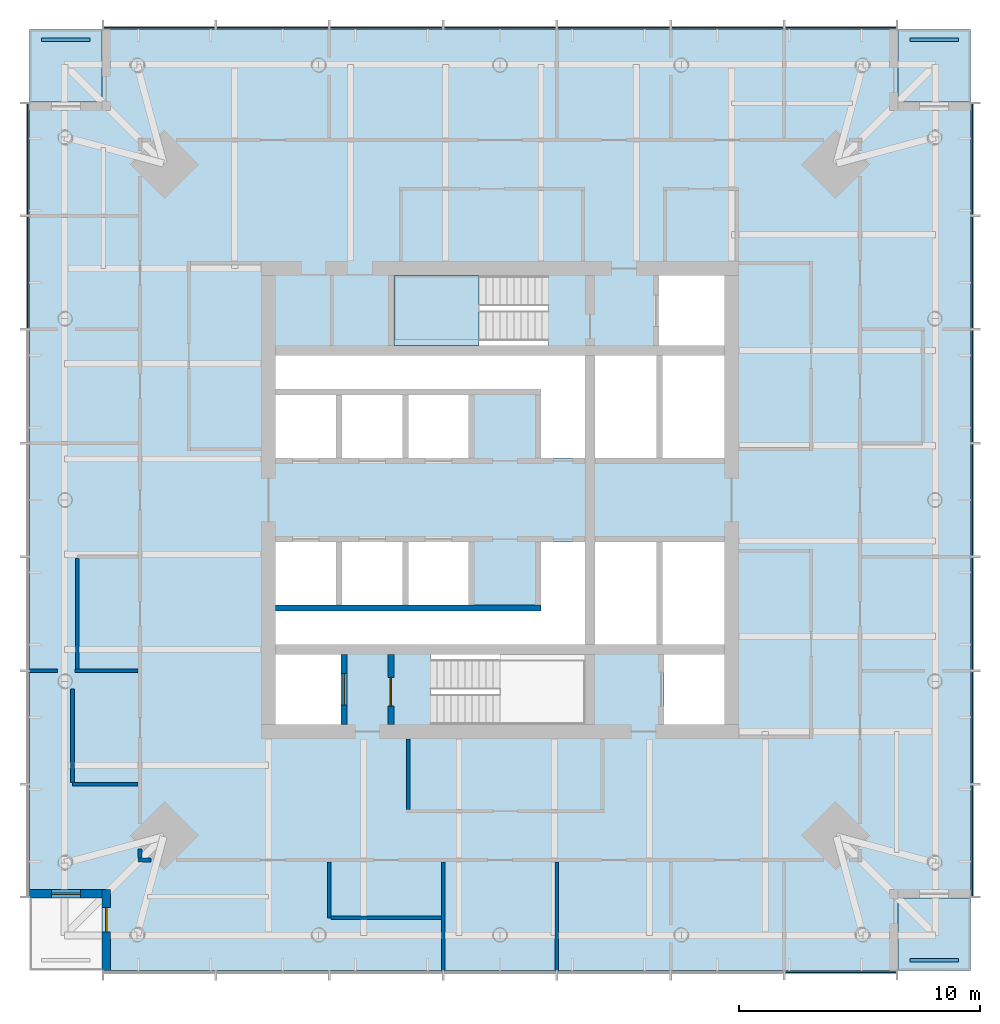
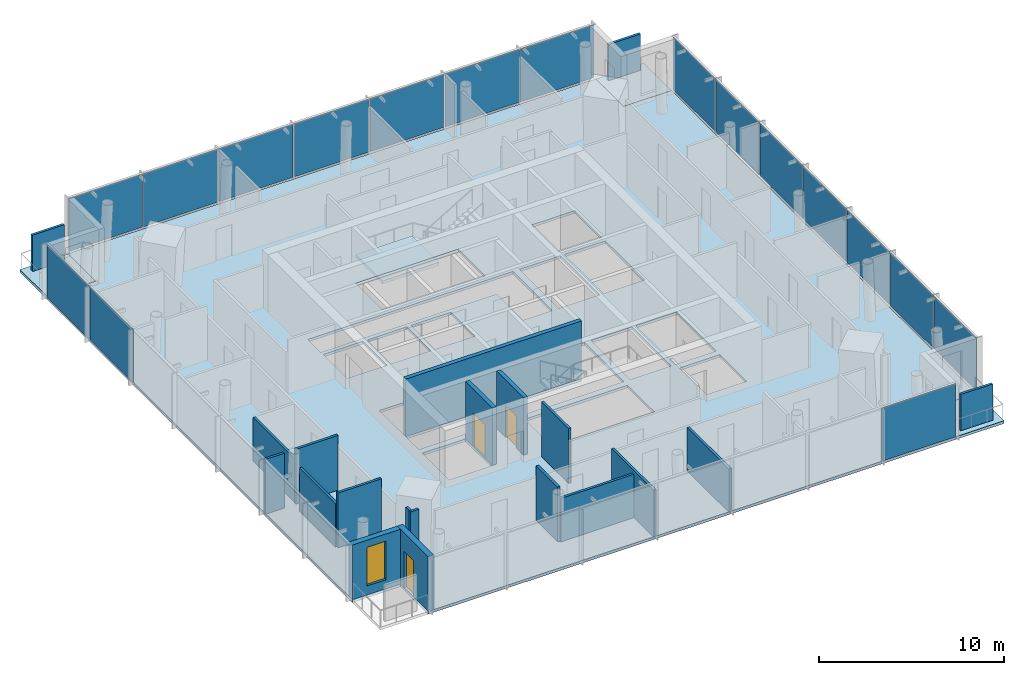
# One storey, part 4 of 9: 20 plates, 17 walls, 5 slabs, 3 doors, 1 window, 4 openings, 5 elements without a shape of their own.
"""IFC4 building model written with IfcOpenShell, lengths in metres."""

from ifc_helpers import new_model, si_unit, direction, frame, frame_2d, origin, origin_2d, place, context, subcontext, project, spatial, polyline, rectangle, outline, extrude, material, layer, layer_set, type_object, element, fill, aggregate, save


model = new_model("IFC4")

# Units and contexts
model_context = context("Model", 3, precision=1e-05, world=origin(), true_north=direction((0.0, 1.0)))
body_context = subcontext(model_context, "Body", "Model", "MODEL_VIEW")
ifc_project = project(units=[si_unit("LENGTHUNIT", "METRE"), si_unit("AREAUNIT", "SQUARE_METRE"), si_unit("VOLUMEUNIT", "CUBIC_METRE"), si_unit("PLANEANGLEUNIT", "RADIAN"), si_unit("MASSUNIT", "GRAM", prefix="KILO")], contexts=[model_context])

# Site, building, storey
site_placement = place(None, origin())
site = spatial("IfcSite", under=ifc_project, at=site_placement, CompositionType="ELEMENT")
building_placement = place(site_placement, origin())
building = spatial("IfcBuilding", under=site, at=building_placement, Name="Ostroluk Exchange", CompositionType="ELEMENT")
storey_placement = place(building_placement, frame((0.0, 0.0, 207.199951171875)))
storey = spatial("IfcBuildingStorey", under=building, at=storey_placement, Name="L53", CompositionType="ELEMENT", Elevation=207.199951171875)

# Slabs
ifc_material_1 = material(Name="Concrete C35/45", Category="concrete")
ifc_layer_1 = layer(ifc_material_1, 0.179931640625)
ifc_layer_set_1 = layer_set([ifc_layer_1], Name="Balcony slab 180")
slab_type_1 = type_object("IfcSlabType", Name="Balcony slab 180", PredefinedType="USERDEFINED", material=ifc_layer_set_1)
slab_1_placement = place(storey_placement, frame((0.0, 0.0, -0.179931640625)))
element("IfcSlab", 1, at=slab_1_placement, inside=storey, type_object=slab_type_1, Name="Office tower SE corner balcony L53", ObjectType="BALCONY", PredefinedType="USERDEFINED", context=body_context, shape_type="SweptSolid", body=[
    extrude(outline(polyline([(61.5, 26.5), (64.5, 26.5), (64.5, 29.5), (61.5, 29.5), (61.5, 26.5)])), origin(), (0.0, 0.0, 1.0), 0.179931640625),
])
slab_2_placement = place(storey_placement, frame((0.0, 0.0, -0.179931640625)))
element("IfcSlab", 2, at=slab_2_placement, inside=storey, type_object=slab_type_1, Name="Office tower NE corner balcony L53", ObjectType="BALCONY", PredefinedType="USERDEFINED", context=body_context, shape_type="SweptSolid", body=[
    extrude(outline(polyline([(61.5, 62.5), (64.5, 62.5), (64.5, 65.5), (61.5, 65.5), (61.5, 62.5)])), origin(), (0.0, 0.0, 1.0), 0.179931640625),
])
slab_3_placement = place(storey_placement, frame((0.0, 0.0, -0.179931640625)))
element("IfcSlab", 3, at=slab_3_placement, inside=storey, type_object=slab_type_1, Name="Office tower NW corner balcony L53", ObjectType="BALCONY", PredefinedType="USERDEFINED", context=body_context, shape_type="SweptSolid", body=[
    extrude(outline(polyline([(25.5, 62.5), (28.5, 62.5), (28.5, 65.5), (25.5, 65.5), (25.5, 62.5)])), origin(), (0.0, 0.0, 1.0), 0.179931640625),
])

# Plates
ifc_material_2 = material(Name="Steel S355 trellis with planting", Category="steel")
ifc_layer_2 = layer(ifc_material_2, 0.14990234375)
ifc_layer_set_2 = layer_set([ifc_layer_2], Name="Planted screen 150")
plate_type_1 = type_object("IfcPlateType", Name="Planted screen 150", PredefinedType="USERDEFINED", material=ifc_layer_set_2)
for number, where, z_axis, x_axis, name in (
    (4, (63.0, 26.925048828125, 0.0), (0.0, 0.0, 1.0), (1.0, 0.0, 0.0), "Office tower SE planted screen L53"),
    (5, (63.0, 65.074951171875, 0.0), (0.0, 0.0, 1.0), (1.0, 0.0, 0.0), "Office tower NE planted screen L53"),
    (6, (27.0, 65.074951171875, 0.0), (0.0, 0.0, 1.0), (1.0, 0.0, 0.0), "Office tower NW planted screen L53"),
):
    element("IfcPlate", number, at=place(storey_placement, frame(where, z_axis=z_axis, x_axis=x_axis)), inside=storey, type_object=plate_type_1, Name=name, ObjectType="PLANTED SCREEN", PredefinedType="USERDEFINED", context=body_context, shape_type="SweptSolid", body=[
        extrude(rectangle(XDim=2.0, YDim=0.14990234375, at=origin_2d()), origin(), (0.0, 0.0, 1.0), 2.39990234375),
    ])

# Stair, slab
ifc_material_3 = material(Name="Concrete C30/37", Category="concrete")
stair_type = type_object("IfcStairType", Name="Exit stair half turn 3800", PredefinedType="HALF_TURN_STAIR", material=ifc_material_3)
stair_placement = place(storey_placement, origin())
stair = element("IfcStair", 7, at=stair_placement, inside=storey, type_object=stair_type, Name="Stair T1-S2 L53", PredefinedType="HALF_TURN_STAIR")
ifc_material_4 = material(Name="Concrete C30/37", Category="concrete")
ifc_layer_3 = layer(ifc_material_4, 0.199951171875)
ifc_layer_set_3 = layer_set([ifc_layer_3], Name="Stair landing 200")
slab_type_2 = type_object("IfcSlabType", Name="Stair landing 200", PredefinedType="LANDING", material=ifc_layer_set_3)
slab_4_placement = place(storey_placement, frame((0.0, 0.0, 1.699951171875)))
slab_4 = element("IfcSlab", 8, at=slab_4_placement, type_object=slab_type_2, Name="T1-S2 landing 1", PredefinedType="LANDING", context=body_context, shape_type="SweptSolid", body=[
    extrude(outline(polyline([(44.1298828125, 52.39990234375), (44.1298828125, 55.300048828125), (40.60009765625, 55.300048828125), (40.60009765625, 52.39990234375), (44.1298828125, 52.39990234375)])), origin(), (0.0, 0.0, 1.0), 0.2001953125),
])
aggregate(stair, [slab_4])

# Slab
ifc_material_5 = material(Name="Concrete C35/45", Category="concrete")
ifc_layer_4 = layer(ifc_material_5, 0.179931640625)
ifc_layer_set_4 = layer_set([ifc_layer_4], Name="Tower floor slab 180 composite")
slab_type_3 = type_object("IfcSlabType", Name="Tower floor slab 180 composite", PredefinedType="FLOOR", material=ifc_layer_set_4)
slab_5_placement = place(storey_placement, frame((0.0, 0.0, -0.179931640625)))
element("IfcSlab", 9, at=slab_5_placement, inside=storey, type_object=slab_type_3, Name="Office tower floor slab L53", PredefinedType="FLOOR", context=body_context, shape_type="SweptSolid", body=[
    extrude(outline(polyline([(28.5, 26.5), (61.5, 26.5), (61.5, 29.5), (64.5, 29.5), (64.5, 62.5), (61.5, 62.5), (61.5, 65.5), (28.5, 65.5), (28.5, 62.5), (25.5, 62.5), (25.5, 29.5), (28.5, 29.5), (28.5, 26.5)]), holes=[polyline([(35.699951171875, 36.699951171875), (38.39990234375, 36.699951171875), (38.39990234375, 39.60009765625), (35.699951171875, 39.60009765625), (35.699951171875, 36.699951171875)]), polyline([(42.110107421875, 36.699951171875), (48.530029296875, 36.699951171875), (48.530029296875, 39.60009765625), (42.110107421875, 39.60009765625), (42.110107421875, 36.699951171875)]), polyline([(51.800048828125, 36.699951171875), (54.300048828125, 36.699951171875), (54.300048828125, 39.60009765625), (51.800048828125, 39.60009765625), (51.800048828125, 36.699951171875)]), polyline([(40.60009765625, 52.39990234375), (47.02001953125, 52.39990234375), (47.02001953125, 55.300048828125), (40.60009765625, 55.300048828125), (40.60009765625, 52.39990234375)]), polyline([(51.60009765625, 52.39990234375), (54.300048828125, 52.39990234375), (54.300048828125, 55.300048828125), (51.60009765625, 55.300048828125), (51.60009765625, 52.39990234375)]), polyline([(35.699951171875, 47.75), (38.199951171875, 47.75), (38.199951171875, 50.35009765625), (35.699951171875, 50.35009765625), (35.699951171875, 47.75)]), polyline([(38.449951171875, 47.75), (40.949951171875, 47.75), (40.949951171875, 50.35009765625), (38.449951171875, 50.35009765625), (38.449951171875, 47.75)]), polyline([(41.199951171875, 47.75), (43.699951171875, 47.75), (43.699951171875, 50.35009765625), (41.199951171875, 50.35009765625), (41.199951171875, 47.75)]), polyline([(35.699951171875, 41.64990234375), (38.199951171875, 41.64990234375), (38.199951171875, 44.25), (35.699951171875, 44.25), (35.699951171875, 41.64990234375)]), polyline([(38.449951171875, 41.64990234375), (40.949951171875, 41.64990234375), (40.949951171875, 44.25), (38.449951171875, 44.25), (38.449951171875, 41.64990234375)]), polyline([(41.199951171875, 41.64990234375), (43.699951171875, 41.64990234375), (43.699951171875, 44.25), (41.199951171875, 44.25), (41.199951171875, 41.64990234375)]), polyline([(48.929931640625, 47.75), (51.489990234375, 47.75), (51.489990234375, 52.0), (48.929931640625, 52.0), (48.929931640625, 47.75)]), polyline([(51.739990234375, 47.75), (54.300048828125, 47.75), (54.300048828125, 52.0), (51.739990234375, 52.0), (51.739990234375, 47.75)]), polyline([(48.929931640625, 40.0), (51.489990234375, 40.0), (51.489990234375, 44.25), (48.929931640625, 44.25), (48.929931640625, 40.0)]), polyline([(51.739990234375, 40.0), (54.300048828125, 40.0), (54.300048828125, 44.25), (51.739990234375, 44.25), (51.739990234375, 40.0)]), polyline([(48.530029296875, 52.0), (48.530029296875, 47.75), (46.699951171875, 47.75), (46.699951171875, 50.60009765625), (35.699951171875, 50.60009765625), (35.699951171875, 52.0), (48.530029296875, 52.0)]), polyline([(35.699951171875, 40.0), (35.699951171875, 41.39990234375), (46.699951171875, 41.39990234375), (46.699951171875, 44.25), (48.530029296875, 44.25), (48.530029296875, 40.0), (35.699951171875, 40.0)])]), origin(), (0.0, 0.0, 1.0), 0.179931640625),
])

# Curtain wall, plate
ifc_material_6 = material(Name="Laminated clear glass", Category="glass")
curtain_wall_type = type_object("IfcCurtainWallType", Name="Office tower facade", PredefinedType="USERDEFINED", material=ifc_material_6)
curtain_wall_1_placement = place(storey_placement, origin())
curtain_wall_1 = element("IfcCurtainWall", 10, at=curtain_wall_1_placement, inside=storey, type_object=curtain_wall_type, Name="Office tower south facade L53", ObjectType="UNITISED CURTAIN WALL", PredefinedType="USERDEFINED")
ifc_material_7 = material(Name="Laminated clear glass", Category="glass")
ifc_layer_5 = layer(ifc_material_7, 0.0439453125)
ifc_layer_set_5 = layer_set([ifc_layer_5], Name="Triple laminated clear glazing 44")
plate_type_2 = type_object("IfcPlateType", Name="Triple laminated clear glazing 44", PredefinedType="CURTAIN_PANEL", material=ifc_layer_set_5)
plate_1_placement = place(storey_placement, frame((59.122802734375, 26.425048828125, 0.080078125), z_axis=(0.0, 0.0, 1.0), x_axis=(1.0, 0.0, 0.0)))
plate_1 = element("IfcPlate", 11, at=plate_1_placement, type_object=plate_type_2, Name="CW-O1 panel 7.1", PredefinedType="CURTAIN_PANEL", context=body_context, shape_type="SweptSolid", body=[
    extrude(rectangle(XDim=4.59423828125, YDim=0.0439453125, at=origin_2d()), origin(), (0.0, 0.0, 1.0), 3.489990234375),
])
aggregate(curtain_wall_1, [plate_1])

# Curtain wall, plates
curtain_wall_2_placement = place(storey_placement, origin())
curtain_wall_2 = element("IfcCurtainWall", 12, at=curtain_wall_2_placement, inside=storey, type_object=curtain_wall_type, Name="Office tower east facade L53", ObjectType="UNITISED CURTAIN WALL", PredefinedType="USERDEFINED")
plate_2_placement = place(storey_placement, frame((64.574951171875, 31.877197265625, 0.080078125), z_axis=(0.0, 0.0, 1.0), x_axis=(0.0, 1.0, 0.0)))
plate_2 = element("IfcPlate", 13, at=plate_2_placement, type_object=plate_type_2, Name="CW-O1 panel 1.1", PredefinedType="CURTAIN_PANEL", context=body_context, shape_type="SweptSolid", body=[
    extrude(rectangle(XDim=4.59423828125, YDim=0.0439453125, at=origin_2d()), origin(), (0.0, 0.0, 1.0), 3.489990234375),
])
plate_3_placement = place(storey_placement, frame((64.574951171875, 36.571533203125, 0.080078125), z_axis=(0.0, 0.0, 1.0), x_axis=(0.0, 1.0, 0.0)))
plate_3 = element("IfcPlate", 14, at=plate_3_placement, type_object=plate_type_2, Name="CW-O1 panel 2.1", PredefinedType="CURTAIN_PANEL", context=body_context, shape_type="SweptSolid", body=[
    extrude(rectangle(XDim=4.63427734375, YDim=0.0439453125, at=origin_2d()), origin(), (0.0, 0.0, 1.0), 3.489990234375),
])
plate_4_placement = place(storey_placement, frame((64.574951171875, 41.28564453125, 0.080078125), z_axis=(0.0, 0.0, 1.0), x_axis=(0.0, 1.0, 0.0)))
plate_4 = element("IfcPlate", 15, at=plate_4_placement, type_object=plate_type_2, Name="CW-O1 panel 3.1", PredefinedType="CURTAIN_PANEL", context=body_context, shape_type="SweptSolid", body=[
    extrude(rectangle(XDim=4.63427734375, YDim=0.0439453125, at=origin_2d()), origin(), (0.0, 0.0, 1.0), 3.489990234375),
])
plate_5_placement = place(storey_placement, frame((64.574951171875, 46.0, 0.080078125), z_axis=(0.0, 0.0, 1.0), x_axis=(0.0, 1.0, 0.0)))
plate_5 = element("IfcPlate", 16, at=plate_5_placement, type_object=plate_type_2, Name="CW-O1 panel 4.1", PredefinedType="CURTAIN_PANEL", context=body_context, shape_type="SweptSolid", body=[
    extrude(rectangle(XDim=4.63427734375, YDim=0.0439453125, at=origin_2d()), origin(), (0.0, 0.0, 1.0), 3.489990234375),
])
plate_6_placement = place(storey_placement, frame((64.574951171875, 50.71435546875, 0.080078125), z_axis=(0.0, 0.0, 1.0), x_axis=(0.0, 1.0, 0.0)))
plate_6 = element("IfcPlate", 17, at=plate_6_placement, type_object=plate_type_2, Name="CW-O1 panel 5.1", PredefinedType="CURTAIN_PANEL", context=body_context, shape_type="SweptSolid", body=[
    extrude(rectangle(XDim=4.63427734375, YDim=0.0439453125, at=origin_2d()), origin(), (0.0, 0.0, 1.0), 3.489990234375),
])
plate_7_placement = place(storey_placement, frame((64.574951171875, 55.428466796875, 0.080078125), z_axis=(0.0, 0.0, 1.0), x_axis=(0.0, 1.0, 0.0)))
plate_7 = element("IfcPlate", 18, at=plate_7_placement, type_object=plate_type_2, Name="CW-O1 panel 6.1", PredefinedType="CURTAIN_PANEL", context=body_context, shape_type="SweptSolid", body=[
    extrude(rectangle(XDim=4.63427734375, YDim=0.0439453125, at=origin_2d()), origin(), (0.0, 0.0, 1.0), 3.489990234375),
])
plate_8_placement = place(storey_placement, frame((64.574951171875, 60.122802734375, 0.080078125), z_axis=(0.0, 0.0, 1.0), x_axis=(0.0, 1.0, 0.0)))
plate_8 = element("IfcPlate", 19, at=plate_8_placement, type_object=plate_type_2, Name="CW-O1 panel 7.1", PredefinedType="CURTAIN_PANEL", context=body_context, shape_type="SweptSolid", body=[
    extrude(rectangle(XDim=4.59423828125, YDim=0.0439453125, at=origin_2d()), origin(), (0.0, 0.0, 1.0), 3.489990234375),
])
aggregate(curtain_wall_2, [plate_2, plate_3, plate_4, plate_5, plate_6, plate_7, plate_8])

curtain_wall_3_placement = place(storey_placement, origin())
curtain_wall_3 = element("IfcCurtainWall", 20, at=curtain_wall_3_placement, inside=storey, type_object=curtain_wall_type, Name="Office tower north facade L53", ObjectType="UNITISED CURTAIN WALL", PredefinedType="USERDEFINED")
plate_9_placement = place(storey_placement, frame((59.122802734375, 65.574951171875, 0.080078125), z_axis=(0.0, 0.0, 1.0), x_axis=(-1.0, 0.0, 0.0)))
plate_9 = element("IfcPlate", 21, at=plate_9_placement, type_object=plate_type_2, Name="CW-O1 panel 1.1", PredefinedType="CURTAIN_PANEL", context=body_context, shape_type="SweptSolid", body=[
    extrude(rectangle(XDim=4.59423828125, YDim=0.0439453125, at=origin_2d()), origin(), (0.0, 0.0, 1.0), 3.489990234375),
])
plate_10_placement = place(storey_placement, frame((54.428466796875, 65.574951171875, 0.080078125), z_axis=(0.0, 0.0, 1.0), x_axis=(-1.0, 0.0, 0.0)))
plate_10 = element("IfcPlate", 22, at=plate_10_placement, type_object=plate_type_2, Name="CW-O1 panel 2.1", PredefinedType="CURTAIN_PANEL", context=body_context, shape_type="SweptSolid", body=[
    extrude(rectangle(XDim=4.63427734375, YDim=0.0439453125, at=origin_2d()), origin(), (0.0, 0.0, 1.0), 3.489990234375),
])
plate_11_placement = place(storey_placement, frame((49.71435546875, 65.574951171875, 0.080078125), z_axis=(0.0, 0.0, 1.0), x_axis=(-1.0, 0.0, 0.0)))
plate_11 = element("IfcPlate", 23, at=plate_11_placement, type_object=plate_type_2, Name="CW-O1 panel 3.1", PredefinedType="CURTAIN_PANEL", context=body_context, shape_type="SweptSolid", body=[
    extrude(rectangle(XDim=4.63427734375, YDim=0.0439453125, at=origin_2d()), origin(), (0.0, 0.0, 1.0), 3.489990234375),
])
plate_12_placement = place(storey_placement, frame((45.0, 65.574951171875, 0.080078125), z_axis=(0.0, 0.0, 1.0), x_axis=(-1.0, 0.0, 0.0)))
plate_12 = element("IfcPlate", 24, at=plate_12_placement, type_object=plate_type_2, Name="CW-O1 panel 4.1", PredefinedType="CURTAIN_PANEL", context=body_context, shape_type="SweptSolid", body=[
    extrude(rectangle(XDim=4.63427734375, YDim=0.0439453125, at=origin_2d()), origin(), (0.0, 0.0, 1.0), 3.489990234375),
])
plate_13_placement = place(storey_placement, frame((40.28564453125, 65.574951171875, 0.080078125), z_axis=(0.0, 0.0, 1.0), x_axis=(-1.0, 0.0, 0.0)))
plate_13 = element("IfcPlate", 25, at=plate_13_placement, type_object=plate_type_2, Name="CW-O1 panel 5.1", PredefinedType="CURTAIN_PANEL", context=body_context, shape_type="SweptSolid", body=[
    extrude(rectangle(XDim=4.63427734375, YDim=0.0439453125, at=origin_2d()), origin(), (0.0, 0.0, 1.0), 3.489990234375),
])
plate_14_placement = place(storey_placement, frame((35.571533203125, 65.574951171875, 0.080078125), z_axis=(0.0, 0.0, 1.0), x_axis=(-1.0, 0.0, 0.0)))
plate_14 = element("IfcPlate", 26, at=plate_14_placement, type_object=plate_type_2, Name="CW-O1 panel 6.1", PredefinedType="CURTAIN_PANEL", context=body_context, shape_type="SweptSolid", body=[
    extrude(rectangle(XDim=4.63427734375, YDim=0.0439453125, at=origin_2d()), origin(), (0.0, 0.0, 1.0), 3.489990234375),
])
plate_15_placement = place(storey_placement, frame((30.877197265625, 65.574951171875, 0.080078125), z_axis=(0.0, 0.0, 1.0), x_axis=(-1.0, 0.0, 0.0)))
plate_15 = element("IfcPlate", 27, at=plate_15_placement, type_object=plate_type_2, Name="CW-O1 panel 7.1", PredefinedType="CURTAIN_PANEL", context=body_context, shape_type="SweptSolid", body=[
    extrude(rectangle(XDim=4.59423828125, YDim=0.0439453125, at=origin_2d()), origin(), (0.0, 0.0, 1.0), 3.489990234375),
])
aggregate(curtain_wall_3, [plate_9, plate_10, plate_11, plate_12, plate_13, plate_14, plate_15])

curtain_wall_4_placement = place(storey_placement, origin())
curtain_wall_4 = element("IfcCurtainWall", 28, at=curtain_wall_4_placement, inside=storey, type_object=curtain_wall_type, Name="Office tower west facade L53", ObjectType="UNITISED CURTAIN WALL", PredefinedType="USERDEFINED")
plate_16_placement = place(storey_placement, frame((25.425048828125, 60.122802734375, 0.080078125), z_axis=(0.0, 0.0, 1.0), x_axis=(0.0, -1.0, 0.0)))
plate_16 = element("IfcPlate", 29, at=plate_16_placement, type_object=plate_type_2, Name="CW-O1 panel 1.1", PredefinedType="CURTAIN_PANEL", context=body_context, shape_type="SweptSolid", body=[
    extrude(rectangle(XDim=4.59423828125, YDim=0.0439453125, at=origin_2d()), origin(), (0.0, 0.0, 1.0), 3.489990234375),
])
plate_17_placement = place(storey_placement, frame((25.425048828125, 55.428466796875, 0.080078125), z_axis=(0.0, 0.0, 1.0), x_axis=(0.0, -1.0, 0.0)))
plate_17 = element("IfcPlate", 30, at=plate_17_placement, type_object=plate_type_2, Name="CW-O1 panel 2.1", PredefinedType="CURTAIN_PANEL", context=body_context, shape_type="SweptSolid", body=[
    extrude(rectangle(XDim=4.63427734375, YDim=0.0439453125, at=origin_2d()), origin(), (0.0, 0.0, 1.0), 3.489990234375),
])
aggregate(curtain_wall_4, [plate_16, plate_17])

# Wall, opening, door
ifc_material_8 = material(Name="Concrete C40/50", Category="concrete")
ifc_layer_6 = layer(ifc_material_8, 0.25)
ifc_layer_set_6 = layer_set([ifc_layer_6], Name="Core shaft wall 250")
wall_type_1 = type_object("IfcWallType", Name="Core shaft wall 250", PredefinedType="SHEAR", material=ifc_layer_set_6)
wall_1_placement = place(storey_placement, frame((38.52490234375, 36.699951171875, 0.0), z_axis=(0.0, 0.0, 1.0), x_axis=(0.0, 1.0, 0.0)))
wall_1 = element("IfcWall", 31, at=wall_1_placement, inside=storey, type_object=wall_type_1, Name="Firefighting lift shaft wall", PredefinedType="SHEAR", context=body_context, shape_type="SweptSolid", body=[
    extrude(rectangle(XDim=2.900146484375, YDim=0.25, at=frame_2d((1.4501953125, 0.0))), origin(), (0.0, 0.0, 1.0), 3.800048828125),
])
opening_1_placement = place(wall_1_placement, frame((0.800048828125, 0.0, 0.0)))
opening_1 = element("IfcOpeningElement", 32, at=opening_1_placement, cuts=wall_1, Name="Opening LD2", PredefinedType="OPENING", context=body_context, shape_type="SweptSolid", body=[
    extrude(rectangle(XDim=1.300048828125, YDim=2.199951171875, at=frame_2d((0.64990234375, 1.10009765625))), frame((0.0, 0.135009765625, 0.0), z_axis=(0.0, -1.0, 0.0), x_axis=(1.0, 0.0, 0.0)), (0.0, 0.0, 1.0), 0.27001953125),
])
ifc_material_9 = material(Name="Stainless steel", Category="steel")
door_type_1 = type_object("IfcDoorType", Name="Lift landing door E 60 1300 x 2200", OperationType="DOUBLE_DOOR_SLIDING", PredefinedType="DOOR", material=ifc_material_9)
door_1_placement = place(opening_1_placement, origin())
door_1 = element("IfcDoor", 33, at=door_1_placement, inside=storey, type_object=door_type_1, Name="Lift FL1 landing door", OperationType="DOUBLE_DOOR_SLIDING", OverallHeight=2.199951171875, OverallWidth=1.300048828125, PredefinedType="DOOR", context=body_context, shape_type="SweptSolid", body=[
    extrude(rectangle(XDim=1.300048828125, YDim=2.199951171875, at=frame_2d((0.64990234375, 1.10009765625))), frame((0.0, 0.02490234375, 0.0), z_axis=(0.0, -1.0, 0.0), x_axis=(1.0, 0.0, 0.0)), (0.0, 0.0, 1.0), 0.050048828125),
])
fill(opening_1, door_1)

wall_2_placement = place(storey_placement, frame((40.47509765625, 36.699951171875, 0.0), z_axis=(0.0, 0.0, 1.0), x_axis=(0.0, 1.0, 0.0)))
wall_2 = element("IfcWall", 34, at=wall_2_placement, inside=storey, type_object=wall_type_1, Name="Stair shaft wall", PredefinedType="SHEAR", context=body_context, shape_type="SweptSolid", body=[
    extrude(rectangle(XDim=2.900146484375, YDim=0.25, at=frame_2d((1.4501953125, 0.0))), origin(), (0.0, 0.0, 1.0), 3.800048828125),
])
opening_2_placement = place(wall_2_placement, frame((0.75, 0.0, 0.0)))
opening_2 = element("IfcOpeningElement", 35, at=opening_2_placement, cuts=wall_2, Name="Opening FD60S", PredefinedType="OPENING", context=body_context, shape_type="SweptSolid", body=[
    extrude(rectangle(XDim=1.199951171875, YDim=2.10009765625, at=frame_2d((0.60009765625, 1.050048828125))), frame((0.0, 0.135009765625, 0.0), z_axis=(0.0, -1.0, 0.0), x_axis=(1.0, 0.0, 0.0)), (0.0, 0.0, 1.0), 0.27001953125),
])
ifc_material_10 = material(Name="Steel", Category="steel")
door_type_2 = type_object("IfcDoorType", Name="Stair door EI 60 1200 x 2100", OperationType="SINGLE_SWING_LEFT", PredefinedType="DOOR", material=ifc_material_10)
door_2_placement = place(opening_2_placement, origin())
door_2 = element("IfcDoor", 36, at=door_2_placement, inside=storey, type_object=door_type_2, Name="Stair T1-S1 door", OperationType="SINGLE_SWING_LEFT", OverallHeight=2.10009765625, OverallWidth=1.199951171875, PredefinedType="DOOR", context=body_context, shape_type="SweptSolid", body=[
    extrude(rectangle(XDim=1.199951171875, YDim=2.10009765625, at=frame_2d((0.60009765625, 1.050048828125))), frame((0.0, 0.02490234375, 0.0), z_axis=(0.0, -1.0, 0.0), x_axis=(1.0, 0.0, 0.0)), (0.0, 0.0, 1.0), 0.050048828125),
])
fill(opening_2, door_2)

# Wall
wall_3_placement = place(storey_placement, frame((35.699951171875, 41.52490234375, 0.0), z_axis=(0.0, 0.0, 1.0), x_axis=(1.0, 0.0, 0.0)))
element("IfcWall", 37, at=wall_3_placement, inside=storey, type_object=wall_type_1, Name="Lift shaft wall", PredefinedType="SHEAR", context=body_context, shape_type="SweptSolid", body=[
    extrude(rectangle(XDim=11.0, YDim=0.25, at=frame_2d((5.5, 0.0))), origin(), (0.0, 0.0, 1.0), 3.800048828125),
])

# Wall, opening, door
ifc_material_11 = material(Name="Limestone", Category="masonry")
ifc_layer_7 = layer(ifc_material_11, 0.35009765625)
ifc_layer_set_7 = layer_set([ifc_layer_7], Name="Limestone facade wall 350")
wall_type_2 = type_object("IfcWallType", Name="Limestone facade wall 350", PredefinedType="SOLIDWALL", material=ifc_layer_set_7)
wall_4_placement = place(storey_placement, frame((28.675048828125, 26.5, 0.0), z_axis=(0.0, 0.0, 1.0), x_axis=(0.0, 1.0, 0.0)))
wall_4 = element("IfcWall", 38, at=wall_4_placement, inside=storey, type_object=wall_type_2, Name="Office tower SW corner wall L53 a", PredefinedType="SOLIDWALL", context=body_context, shape_type="SweptSolid", body=[
    extrude(rectangle(XDim=3.35009765625, YDim=0.35009765625, at=frame_2d((1.675048828125, 0.0))), origin(), (0.0, 0.0, 1.0), 3.6201171875),
])
opening_3_placement = place(wall_4_placement, frame((1.60009765625, 0.0, 0.0)))
opening_3 = element("IfcOpeningElement", 39, at=opening_3_placement, cuts=wall_4, Name="Opening D-B1", PredefinedType="OPENING", context=body_context, shape_type="SweptSolid", body=[
    extrude(rectangle(XDim=1.0, YDim=2.39990234375, at=frame_2d((0.5, 1.199951171875))), frame((0.0, 0.18505859375, 0.0), z_axis=(0.0, -1.0, 0.0), x_axis=(1.0, 0.0, 0.0)), (0.0, 0.0, 1.0), 0.3701171875),
])
ifc_material_12 = material(Name="Bronze framed glazed door", Category="aluminium")
door_type_3 = type_object("IfcDoorType", Name="Balcony door 1000 x 2400", OperationType="SINGLE_SWING_LEFT", PredefinedType="DOOR", material=ifc_material_12)
door_3_placement = place(opening_3_placement, origin())
door_3 = element("IfcDoor", 40, at=door_3_placement, inside=storey, type_object=door_type_3, Name="Office tower SW balcony door L53", OperationType="SINGLE_SWING_RIGHT", OverallHeight=2.39990234375, OverallWidth=1.0, PredefinedType="DOOR", context=body_context, shape_type="SweptSolid", body=[
    extrude(rectangle(XDim=1.0, YDim=2.39990234375, at=frame_2d((0.5, 1.199951171875))), frame((0.0, 0.02490234375, 0.0), z_axis=(0.0, -1.0, 0.0), x_axis=(1.0, 0.0, 0.0)), (0.0, 0.0, 1.0), 0.050048828125),
])
fill(opening_3, door_3)

# Wall, opening, window
wall_5_placement = place(storey_placement, frame((28.5, 29.675048828125, 0.0), z_axis=(0.0, 0.0, 1.0), x_axis=(-1.0, 0.0, 0.0)))
wall_5 = element("IfcWall", 41, at=wall_5_placement, inside=storey, type_object=wall_type_2, Name="Office tower SW corner wall L53 b", PredefinedType="SOLIDWALL", context=body_context, shape_type="SweptSolid", body=[
    extrude(rectangle(XDim=3.0, YDim=0.35009765625, at=frame_2d((1.5, 0.0))), origin(), (0.0, 0.0, 1.0), 3.6201171875),
])
opening_4_placement = place(wall_5_placement, frame((0.89990234375, 0.0, 0.60009765625)))
opening_4 = element("IfcOpeningElement", 42, at=opening_4_placement, cuts=wall_5, Name="Opening WN-L1", PredefinedType="OPENING", context=body_context, shape_type="SweptSolid", body=[
    extrude(rectangle(XDim=1.199951171875, YDim=2.550048828125, at=frame_2d((0.60009765625, 1.27490234375))), frame((0.0, 0.18505859375, 0.0), z_axis=(0.0, -1.0, 0.0), x_axis=(1.0, 0.0, 0.0)), (0.0, 0.0, 1.0), 0.3701171875),
])
ifc_material_13 = material(Name="Laminated clear glass", Category="glass")
window_type = type_object("IfcWindowType", Name="Lancet window 1200 x 2550", PartitioningType="SINGLE_PANEL", PredefinedType="WINDOW", material=ifc_material_13)
window_placement = place(opening_4_placement, origin())
window = element("IfcWindow", 43, at=window_placement, inside=storey, type_object=window_type, Name="Office tower SW lancet window L53", OverallHeight=2.550048828125, OverallWidth=1.199951171875, PartitioningType="SINGLE_PANEL", PredefinedType="WINDOW", context=body_context, shape_type="SweptSolid", body=[
    extrude(rectangle(XDim=1.199951171875, YDim=2.550048828125, at=frame_2d((0.60009765625, 1.27490234375))), frame((0.0, 0.030029296875, 0.0), z_axis=(0.0, -1.0, 0.0), x_axis=(1.0, 0.0, 0.0)), (0.0, 0.0, 1.0), 0.06005859375),
])
fill(opening_4, window)

# Walls
ifc_material_14 = material(Name="Gypsum plasterboard partition", Category="gypsum")
ifc_layer_8 = layer(ifc_material_14, 0.14990234375)
ifc_layer_set_8 = layer_set([ifc_layer_8], Name="Plasterboard partition 150")
wall_type_3 = type_object("IfcWallType", Name="Plasterboard partition 150", PredefinedType="PARTITIONING", material=ifc_layer_set_8)
wall_6_placement = place(storey_placement, frame((41.199951171875, 36.10009765625, 0.0), z_axis=(0.0, 0.0, 1.0), x_axis=(0.0, -1.0, 0.0)))
element("IfcWall", 44, at=wall_6_placement, inside=storey, type_object=wall_type_3, Name="Partition", PredefinedType="PARTITIONING", context=body_context, shape_type="SweptSolid", body=[
    extrude(rectangle(XDim=2.925048828125, YDim=0.14990234375, at=frame_2d((1.46240234375, 0.0))), origin(), (0.0, 0.0, 1.0), 3.6201171875),
])
wall_7_placement = place(storey_placement, frame((30.074951171875, 31.535888671875, 0.0), z_axis=(0.0, 0.0, 1.0), x_axis=(0.0, -1.0, 0.0)))
element("IfcWall", 45, at=wall_7_placement, inside=storey, type_object=wall_type_3, Name="Partition", PredefinedType="PARTITIONING", context=body_context, shape_type="SweptSolid", body=[
    extrude(rectangle(XDim=0.385986328125, YDim=0.14990234375, at=frame_2d((0.19287109375, 0.0))), origin(), (0.0, 0.0, 1.0), 3.320068359375),
])
wall_8_placement = place(storey_placement, frame((30.0, 38.928466796875, 0.0), z_axis=(0.0, 0.0, 1.0), x_axis=(-1.0, 0.0, 0.0)))
element("IfcWall", 46, at=wall_8_placement, inside=storey, type_object=wall_type_3, Name="Partition", PredefinedType="PARTITIONING", context=body_context, shape_type="SweptSolid", body=[
    extrude(rectangle(XDim=2.62353515625, YDim=0.14990234375, at=frame_2d((1.311767578125, 0.0))), origin(), (0.0, 0.0, 1.0), 3.6201171875),
])
wall_9_placement = place(storey_placement, frame((26.64501953125, 38.928466796875, 0.0), z_axis=(0.0, 0.0, 1.0), x_axis=(-1.0, 0.0, 0.0)))
element("IfcWall", 47, at=wall_9_placement, inside=storey, type_object=wall_type_3, Name="Partition", PredefinedType="PARTITIONING", context=body_context, shape_type="SweptSolid", body=[
    extrude(rectangle(XDim=1.18505859375, YDim=0.14990234375, at=frame_2d((0.592529296875, 0.0))), origin(), (0.0, 0.0, 1.0), 3.6201171875),
])
wall_10_placement = place(storey_placement, frame((30.0, 34.21435546875, 0.0), z_axis=(0.0, 0.0, 1.0), x_axis=(-1.0, 0.0, 0.0)))
element("IfcWall", 48, at=wall_10_placement, inside=storey, type_object=wall_type_3, Name="Partition", PredefinedType="PARTITIONING", context=body_context, shape_type="SweptSolid", body=[
    extrude(rectangle(XDim=2.72509765625, YDim=0.14990234375, at=frame_2d((1.362548828125, 0.0))), origin(), (0.0, 0.0, 1.0), 3.6201171875),
])
wall_11_placement = place(storey_placement, frame((38.003662109375, 28.675048828125, 0.0), z_axis=(0.0, 0.0, 1.0), x_axis=(1.0, 0.0, 0.0)))
element("IfcWall", 49, at=wall_11_placement, inside=storey, type_object=wall_type_3, Name="Partition", PredefinedType="PARTITIONING", context=body_context, shape_type="SweptSolid", body=[
    extrude(rectangle(XDim=4.564208984375, YDim=0.14990234375, at=frame_2d((2.2822265625, 0.0))), origin(), (0.0, 0.0, 1.0), 2.866943359375),
])
wall_12_placement = place(storey_placement, frame((30.0, 31.074951171875, 0.0), z_axis=(0.0, 0.0, 1.0), x_axis=(1.0, 0.0, 0.0)))
element("IfcWall", 50, at=wall_12_placement, inside=storey, type_object=wall_type_3, Name="Partition", PredefinedType="PARTITIONING", context=body_context, shape_type="SweptSolid", body=[
    extrude(rectangle(XDim=0.535888671875, YDim=0.14990234375, at=frame_2d((0.26806640625, 0.0))), origin(), (0.0, 0.0, 1.0), 3.320068359375),
])
wall_13_placement = place(storey_placement, frame((37.928466796875, 31.0, 0.0), z_axis=(0.0, 0.0, 1.0), x_axis=(0.0, -1.0, 0.0)))
element("IfcWall", 51, at=wall_13_placement, inside=storey, type_object=wall_type_3, Name="Partition", PredefinedType="PARTITIONING", context=body_context, shape_type="SweptSolid", body=[
    extrude(rectangle(XDim=2.324951171875, YDim=0.14990234375, at=frame_2d((1.16259765625, 0.0))), origin(), (0.0, 0.0, 1.0), 3.6201171875),
])
wall_14_placement = place(storey_placement, frame((42.642822265625, 31.0, 0.0), z_axis=(0.0, 0.0, 1.0), x_axis=(0.0, -1.0, 0.0)))
element("IfcWall", 52, at=wall_14_placement, inside=storey, type_object=wall_type_3, Name="Partition", PredefinedType="PARTITIONING", context=body_context, shape_type="SweptSolid", body=[
    extrude(rectangle(XDim=4.5400390625, YDim=0.14990234375, at=frame_2d((2.27001953125, 0.0))), origin(), (0.0, 0.0, 1.0), 3.1201171875),
])
wall_15_placement = place(storey_placement, frame((47.357177734375, 31.0, 0.0), z_axis=(0.0, 0.0, 1.0), x_axis=(0.0, -1.0, 0.0)))
element("IfcWall", 53, at=wall_15_placement, inside=storey, type_object=wall_type_3, Name="Partition", PredefinedType="PARTITIONING", context=body_context, shape_type="SweptSolid", body=[
    extrude(rectangle(XDim=4.5400390625, YDim=0.14990234375, at=frame_2d((2.27001953125, 0.0))), origin(), (0.0, 0.0, 1.0), 2.866943359375),
])
ifc_material_15 = material(Name="Gypsum plasterboard partition, moisture resistant", Category="gypsum")
ifc_layer_9 = layer(ifc_material_15, 0.14990234375)
ifc_layer_set_9 = layer_set([ifc_layer_9], Name="Plasterboard toilet partition 150")
wall_type_4 = type_object("IfcWallType", Name="Plasterboard toilet partition 150", PredefinedType="PARTITIONING", material=ifc_layer_set_9)
wall_16_placement = place(storey_placement, frame((27.47509765625, 43.56787109375, 0.0), z_axis=(0.0, 0.0, 1.0), x_axis=(0.0, -1.0, 0.0)))
element("IfcWall", 54, at=wall_16_placement, inside=storey, type_object=wall_type_4, Name="Toilet partition", PredefinedType="PARTITIONING", context=body_context, shape_type="SweptSolid", body=[
    extrude(rectangle(XDim=4.564208984375, YDim=0.14990234375, at=frame_2d((2.2822265625, 0.0))), origin(), (0.0, 0.0, 1.0), 2.866943359375),
])
wall_17_placement = place(storey_placement, frame((27.27490234375, 38.169921875, 0.0), z_axis=(0.0, 0.0, 1.0), x_axis=(0.0, -1.0, 0.0)))
element("IfcWall", 55, at=wall_17_placement, inside=storey, type_object=wall_type_4, Name="Toilet partition", PredefinedType="PARTITIONING", context=body_context, shape_type="SweptSolid", body=[
    extrude(rectangle(XDim=3.880615234375, YDim=0.14990234375, at=frame_2d((1.9404296875, 0.0))), origin(), (0.0, 0.0, 1.0), 2.866943359375),
])

save(model, "model.ifc")
